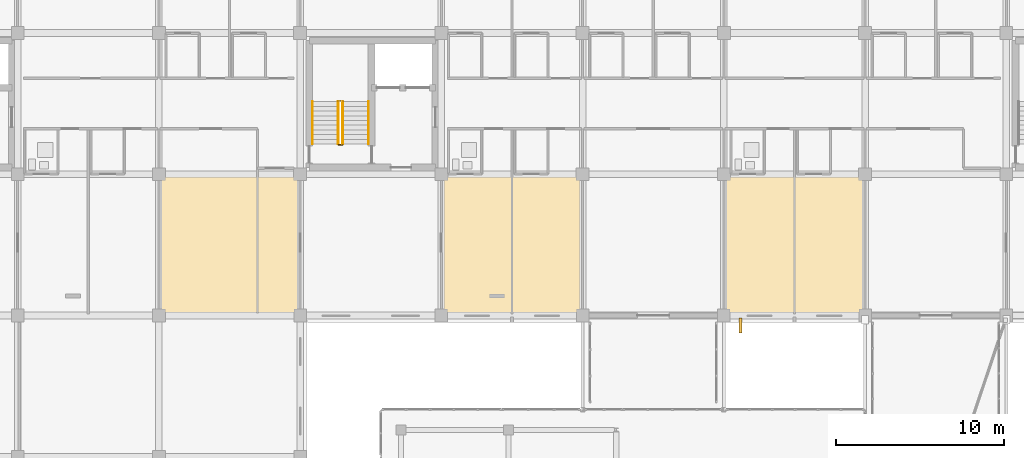
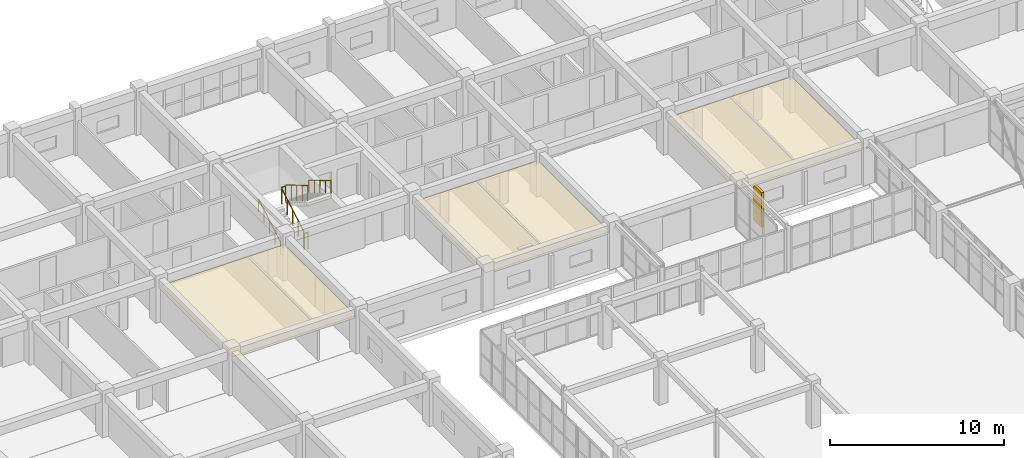
# One storey, part 196 of 200: 6 railings, 3 coverings, 1 shading device.
"""IFC4 building model written with IfcOpenShell, lengths in metres."""

from ifc_helpers import new_model, si_unit, direction, frame, origin, origin_2d, place, context, subcontext, project, spatial, polyline, rectangle, circle, outline, extrude, material, layer, layer_set, type_object, element, save


model = new_model("IFC4")

# Units and contexts
model_context = context("Model", 3, precision=1e-05, world=origin(), true_north=direction((0.0, 1.0)))
body_context = subcontext(model_context, "Body", "Model", "MODEL_VIEW")
ifc_project = project(units=[si_unit("LENGTHUNIT", "METRE"), si_unit("AREAUNIT", "SQUARE_METRE"), si_unit("VOLUMEUNIT", "CUBIC_METRE"), si_unit("PLANEANGLEUNIT", "RADIAN"), si_unit("MASSUNIT", "GRAM", prefix="KILO")], contexts=[model_context])

# Site, building, storey
site_placement = place(None, origin())
site = spatial("IfcSite", under=ifc_project, at=site_placement, CompositionType="ELEMENT")
building_placement = place(site_placement, origin())
building = spatial("IfcBuilding", under=site, at=building_placement, Name="Trelvath General Hospital", CompositionType="ELEMENT")
storey_placement = place(building_placement, frame((0.0, 0.0, 4.800048828125)))
storey = spatial("IfcBuildingStorey", under=building, at=storey_placement, Name="L01", CompositionType="ELEMENT", Elevation=4.800048828125)

# Shading device
ifc_material_1 = material(Name="Precast concrete C40/50", Category="concrete")
shading_device_type = type_object("IfcShadingDeviceType", Name="BriseSoleil PrecastFin900", PredefinedType="JALOUSIE", material=ifc_material_1)
shading_device_placement = place(storey_placement, frame((68.182861328125, 91.81005859375, 0.0), z_axis=(0.0, 0.0, 1.0), x_axis=(0.0, -1.0, 0.0)))
element("IfcShadingDevice", 1, at=shading_device_placement, inside=storey, type_object=shading_device_type, Name="Solar Brise-Soleil Screen L01-24", PredefinedType="JALOUSIE", context=body_context, shape_type="SweptSolid", body=[
    extrude(rectangle(XDim=0.89990234375, YDim=0.179931640625, at=origin_2d()), origin(), (0.0, 0.0, 1.0), 2.419921875),
])

# Coverings
ifc_material_2 = material(Name="Hygienic acoustic ceiling tile")
ifc_layer = layer(ifc_material_2, 0.02490234375)
ifc_layer_set = layer_set([ifc_layer], Name="Hygienic acoustic ceiling tile")
covering_type = type_object("IfcCoveringType", Name="Ceiling ClinicalAcoustic", PredefinedType="CEILING", material=ifc_layer_set)
covering_1_placement = place(storey_placement, frame((0.0, 0.0, 2.280029296875)))
element("IfcCovering", 2, at=covering_1_placement, inside=storey, type_object=covering_type, Name="Clinical Acoustic Ceiling L01-20", PredefinedType="CEILING", context=body_context, shape_type="SweptSolid", body=[
    extrude(outline(polyline([(33.699951171875, 92.5), (41.89990234375, 92.5), (41.89990234375, 100.719970703125), (33.699951171875, 100.719970703125), (33.699951171875, 92.5)])), origin(), (0.0, 0.0, 1.0), 0.02490234375),
])
covering_2_placement = place(storey_placement, frame((0.0, 0.0, 2.280029296875)))
element("IfcCovering", 3, at=covering_2_placement, inside=storey, type_object=covering_type, Name="Clinical Acoustic Ceiling L01-21", PredefinedType="CEILING", context=body_context, shape_type="SweptSolid", body=[
    extrude(outline(polyline([(50.5, 92.5), (58.699951171875, 92.5), (58.699951171875, 100.719970703125), (50.5, 100.719970703125), (50.5, 92.5)])), origin(), (0.0, 0.0, 1.0), 0.02490234375),
])
covering_3_placement = place(storey_placement, frame((0.0, 0.0, 2.280029296875)))
element("IfcCovering", 4, at=covering_3_placement, inside=storey, type_object=covering_type, Name="Clinical Acoustic Ceiling L01-22", PredefinedType="CEILING", context=body_context, shape_type="SweptSolid", body=[
    extrude(outline(polyline([(67.300048828125, 92.5), (75.5, 92.5), (75.5, 100.719970703125), (67.300048828125, 100.719970703125), (67.300048828125, 92.5)])), origin(), (0.0, 0.0, 1.0), 0.02490234375),
])

# Railings
ifc_material_3 = material(Name="Architectural painted steel", Category="steel")
railing_type_1 = type_object("IfcRailingType", Name="Guardrail Terrace1150", PredefinedType="GUARDRAIL", material=ifc_material_3)
railing_1_placement = place(storey_placement, frame((44.27001953125, 102.56005859375, 0.0)))
element("IfcRailing", 5, at=railing_1_placement, inside=storey, type_object=railing_type_1, Name="Stair Well Edge Guard C1 L01 6", PredefinedType="GUARDRAIL", context=body_context, shape_type="SweptSolid", body=[
    extrude(circle(Radius=0.02392578125, at=origin_2d()), frame((0.0, 0.0, 1.1259765625), z_axis=(1.0, 0.0, 0.0), x_axis=(0.0, 1.0, 0.0)), (0.0, 0.0, 1.0), 0.260009765625),
    extrude(circle(Radius=0.02099609375, at=origin_2d()), origin(), (0.0, 0.0, 1.0), 1.099853515625),
    extrude(circle(Radius=0.02099609375, at=origin_2d()), frame((0.260009765625, 0.0, 0.0)), (0.0, 0.0, 1.0), 1.099853515625),
])
railing_2_placement = place(storey_placement, frame((44.530029296875, 105.1201171875, 1.81494140625)))
element("IfcRailing", 6, at=railing_2_placement, inside=storey, type_object=railing_type_1, Name="Stair Rail ST1 L01 F2 L 8", PredefinedType="GUARDRAIL", context=body_context, shape_type="SweptSolid", body=[
    extrude(circle(Radius=0.02392578125, at=origin_2d()), frame((0.0, 0.0, 1.076171875), z_axis=(0.0, -0.86152411907, 0.507716645641), x_axis=(1.0, 0.0, 0.0)), (0.0, 0.0, 1.0), 2.925048828125),
    extrude(circle(Radius=0.02099609375, at=origin_2d()), origin(), (0.0, 0.0, 1.0), 1.050048828125),
    extrude(circle(Radius=0.02099609375, at=origin_2d()), frame((0.0, -0.6298828125, 0.371337890625)), (0.0, 0.0, 1.0), 1.050048828125),
    extrude(circle(Radius=0.02099609375, at=origin_2d()), frame((0.0, -1.260009765625, 0.74267578125)), (0.0, 0.0, 1.0), 1.050048828125),
    extrude(circle(Radius=0.02099609375, at=origin_2d()), frame((0.0, -1.89013671875, 1.11376953125)), (0.0, 0.0, 1.0), 1.050048828125),
    extrude(circle(Radius=0.02099609375, at=origin_2d()), frame((0.0, -2.52001953125, 1.485107421875)), (0.0, 0.0, 1.0), 1.050048828125),
])
railing_3_placement = place(storey_placement, frame((44.27001953125, 102.60009765625, 0.1650390625)))
element("IfcRailing", 7, at=railing_3_placement, inside=storey, type_object=railing_type_1, Name="Stair Rail ST1 L01 F1 R 9", PredefinedType="GUARDRAIL", context=body_context, shape_type="SweptSolid", body=[
    extrude(circle(Radius=0.02392578125, at=origin_2d()), frame((0.0, 0.0, 1.076171875), z_axis=(0.0, 0.861560626758, 0.507654692109), x_axis=(-1.0, 0.0, 0.0)), (0.0, 0.0, 1.0), 2.925048828125),
    extrude(circle(Radius=0.02099609375, at=origin_2d()), origin(), (0.0, 0.0, 1.0), 1.050048828125),
    extrude(circle(Radius=0.02099609375, at=origin_2d()), frame((0.0, 0.6298828125, 0.37109375)), (0.0, 0.0, 1.0), 1.050048828125),
    extrude(circle(Radius=0.02099609375, at=origin_2d()), frame((0.0, 1.260009765625, 0.742431640625)), (0.0, 0.0, 1.0), 1.050048828125),
    extrude(circle(Radius=0.02099609375, at=origin_2d()), frame((0.0, 1.89013671875, 1.11376953125)), (0.0, 0.0, 1.0), 1.050048828125),
    extrude(circle(Radius=0.02099609375, at=origin_2d()), frame((0.0, 2.52001953125, 1.48486328125)), (0.0, 0.0, 1.0), 1.050048828125),
])
railing_4_placement = place(storey_placement, frame((44.27001953125, 105.159912109375, 1.64990234375)))
element("IfcRailing", 8, at=railing_4_placement, inside=storey, type_object=railing_type_1, Name="Half-Landing Well Guard ST1 L01 11", PredefinedType="GUARDRAIL", context=body_context, shape_type="SweptSolid", body=[
    extrude(circle(Radius=0.02392578125, at=origin_2d()), frame((0.0, 0.0, 1.1259765625), z_axis=(1.0, 0.0, 0.0), x_axis=(0.0, 1.0, 0.0)), (0.0, 0.0, 1.0), 0.260009765625),
    extrude(circle(Radius=0.02099609375, at=origin_2d()), origin(), (0.0, 0.0, 1.0), 1.099853515625),
    extrude(circle(Radius=0.02099609375, at=origin_2d()), frame((0.260009765625, 0.0, 0.0)), (0.0, 0.0, 1.0), 1.099853515625),
])
ifc_material_4 = material(Name="Brushed stainless steel", Category="steel")
railing_type_2 = type_object("IfcRailingType", Name="Handrail Stair900", PredefinedType="HANDRAIL", material=ifc_material_4)
railing_5_placement = place(storey_placement, frame((42.72998046875, 102.60009765625, 0.1650390625)))
element("IfcRailing", 9, at=railing_5_placement, inside=storey, type_object=railing_type_2, Name="Stair Rail ST1 L01 F1 L 7", PredefinedType="HANDRAIL", context=body_context, shape_type="SweptSolid", body=[
    extrude(circle(Radius=0.02392578125, at=origin_2d()), frame((0.0, 0.0, 0.8759765625), z_axis=(0.0, 0.861560626758, 0.507654692109), x_axis=(-1.0, 0.0, 0.0)), (0.0, 0.0, 1.0), 2.925048828125),
    extrude(circle(Radius=0.02099609375, at=origin_2d()), origin(), (0.0, 0.0, 1.0), 0.849853515625),
    extrude(circle(Radius=0.02099609375, at=origin_2d()), frame((0.0, 0.6298828125, 0.37109375)), (0.0, 0.0, 1.0), 0.849853515625),
    extrude(circle(Radius=0.02099609375, at=origin_2d()), frame((0.0, 1.260009765625, 0.742431640625)), (0.0, 0.0, 1.0), 0.849853515625),
    extrude(circle(Radius=0.02099609375, at=origin_2d()), frame((0.0, 1.89013671875, 1.11376953125)), (0.0, 0.0, 1.0), 0.849853515625),
    extrude(circle(Radius=0.02099609375, at=origin_2d()), frame((0.0, 2.52001953125, 1.48486328125)), (0.0, 0.0, 1.0), 0.849853515625),
])
railing_6_placement = place(storey_placement, frame((46.070068359375, 105.1201171875, 1.81494140625)))
element("IfcRailing", 10, at=railing_6_placement, inside=storey, type_object=railing_type_2, Name="Stair Rail ST1 L01 F2 R 10", PredefinedType="HANDRAIL", context=body_context, shape_type="SweptSolid", body=[
    extrude(circle(Radius=0.02392578125, at=origin_2d()), frame((0.0, 0.0, 0.8759765625), z_axis=(0.0, -0.86152411907, 0.507716645641), x_axis=(1.0, 0.0, 0.0)), (0.0, 0.0, 1.0), 2.925048828125),
    extrude(circle(Radius=0.02099609375, at=origin_2d()), origin(), (0.0, 0.0, 1.0), 0.849853515625),
    extrude(circle(Radius=0.02099609375, at=origin_2d()), frame((0.0, -0.6298828125, 0.371337890625)), (0.0, 0.0, 1.0), 0.849853515625),
    extrude(circle(Radius=0.02099609375, at=origin_2d()), frame((0.0, -1.260009765625, 0.74267578125)), (0.0, 0.0, 1.0), 0.849853515625),
    extrude(circle(Radius=0.02099609375, at=origin_2d()), frame((0.0, -1.89013671875, 1.11376953125)), (0.0, 0.0, 1.0), 0.849853515625),
    extrude(circle(Radius=0.02099609375, at=origin_2d()), frame((0.0, -2.52001953125, 1.485107421875)), (0.0, 0.0, 1.0), 0.849853515625),
])

save(model, "model.ifc")
